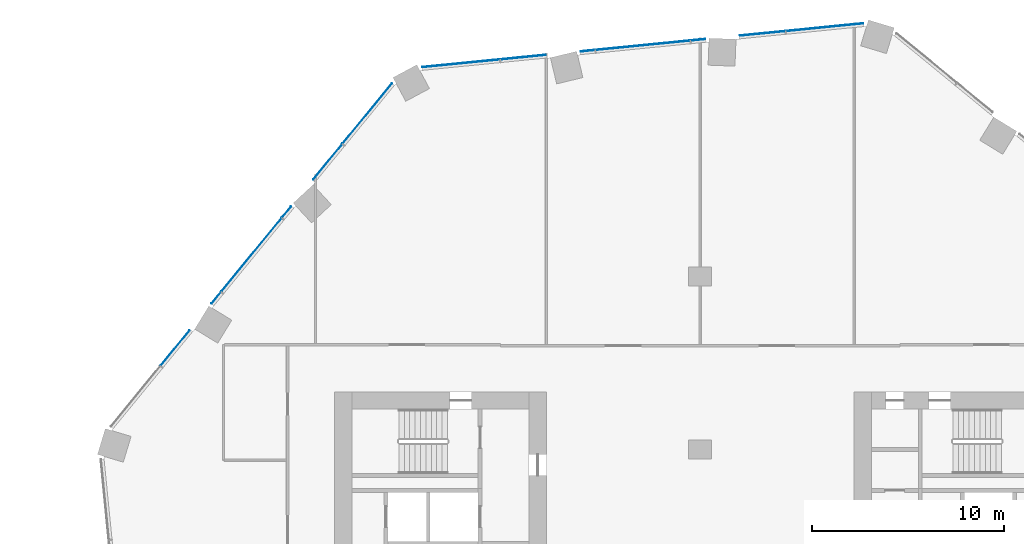
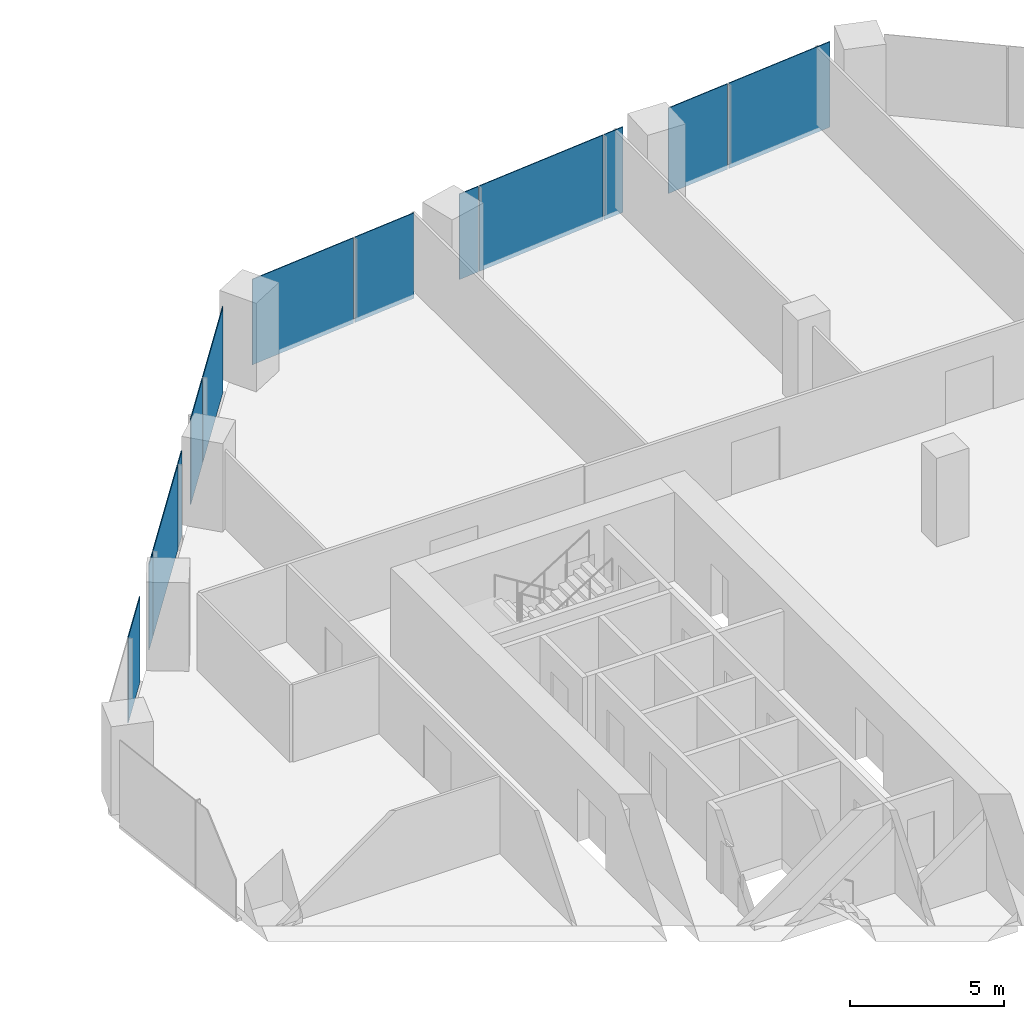
# One storey, part 25 of 34: 13 plates, 2 elements without a shape of their own.
"""IFC4 building model written with IfcOpenShell, lengths in metres."""

import ifcopenshell
import ifcopenshell.guid

model = None  # the IFC model being written
_history = None  # IfcOwnerHistory: only IFC2X3 demands one
_inside = {}  # id of a spatial element -> (the spatial element, [elements in it])
_under = {}  # id of a project, library or spatial element -> (it, [spatial elements below it])
_declared = {}  # id of a project -> (the project, [libraries it declares])
_typed = {}  # id of a type object -> (the type object, [elements of that type])
_made_of = {}  # id of a material, layer set ... -> (it, [elements and type objects made of it])


def new_model(schema):
    """Start an empty IFC model of exactly this schema.

    Asked for "IFC4X3", IfcOpenShell would pick the latest addendum, in which some entities
    have other attributes; the version numbers below select the first issue.
    IFC2X3 requires an IfcOwnerHistory on every rooted entity: one is made here for all.
    """
    global model, _history
    if schema == "IFC4X3":
        model = ifcopenshell.file(schema_version=(4, 3, 0, 0))
    else:
        model = ifcopenshell.file(schema=schema)
    _inside.clear()
    _under.clear()
    _declared.clear()
    _typed.clear()
    _made_of.clear()
    _history = None
    if model.schema == "IFC2X3":
        org = make("IfcOrganization", Name="unknown")
        user = make(
            "IfcPersonAndOrganization",
            ThePerson=make("IfcPerson", FamilyName="unknown"),
            TheOrganization=org,
        )
        app = make(
            "IfcApplication",
            ApplicationDeveloper=org,
            Version="unknown",
            ApplicationFullName="unknown",
            ApplicationIdentifier="unknown",
        )
        _history = make(
            "IfcOwnerHistory",
            OwningUser=user,
            OwningApplication=app,
            ChangeAction="ADDED",
            CreationDate=0,
        )
    return model


def make(cls, **values):
    """One entity of the class cls with the attributes given. An attribute that is None is left unset."""
    return model.create_entity(
        cls, **{name: value for name, value in values.items() if value is not None}
    )


def rooted(cls, **values):
    """An entity with a GlobalId (a new one), such as an element, a storey or a relation."""
    return make(cls, GlobalId=ifcopenshell.guid.new(), OwnerHistory=_history, **values)


def si_unit(unit_type, name, prefix=None):
    """IfcSIUnit, for example si_unit("LENGTHUNIT", "METRE", prefix="MILLI")."""
    return make("IfcSIUnit", UnitType=unit_type, Prefix=prefix, Name=name)


def assignment(units):
    """IfcUnitAssignment: the units of a project."""
    return None if units is None else make("IfcUnitAssignment", Units=units)


def point(xyz):
    """IfcCartesianPoint."""
    return None if xyz is None else make("IfcCartesianPoint", Coordinates=xyz)


def direction(xyz):
    """IfcDirection."""
    return None if xyz is None else make("IfcDirection", DirectionRatios=xyz)


def frame(location, z_axis=None, x_axis=None):
    """IfcAxis2Placement3D, a coordinate frame: its origin and axes. An axis left out is left unset."""
    return make(
        "IfcAxis2Placement3D",
        Location=point(location),
        Axis=direction(z_axis),
        RefDirection=direction(x_axis),
    )


def frame_2d(location, x_axis=None):
    """IfcAxis2Placement2D, a coordinate frame in the plane: its origin and x axis."""
    return make(
        "IfcAxis2Placement2D", Location=point(location), RefDirection=direction(x_axis)
    )


def origin():
    """The frame at (0, 0, 0) with its axes left unset."""
    return frame((0.0, 0.0, 0.0))


def origin_2d():
    """The frame at (0, 0) in the plane with its x axis left unset."""
    return frame_2d((0.0, 0.0))


def place(relative_to, where):
    """IfcLocalPlacement: puts the frame where relative to a parent placement (None: the world)."""
    return make(
        "IfcLocalPlacement", PlacementRelTo=relative_to, RelativePlacement=where
    )


def context(
    kind, dimensions, precision=None, world=None, true_north=None, identifier=None
):
    """IfcGeometricRepresentationContext, for example the 3D "Model" context."""
    return make(
        "IfcGeometricRepresentationContext",
        ContextIdentifier=identifier,
        ContextType=kind,
        CoordinateSpaceDimension=dimensions,
        Precision=precision,
        WorldCoordinateSystem=world,
        TrueNorth=true_north,
    )


def subcontext(parent, identifier, kind, view, scale=None):
    """IfcGeometricRepresentationSubContext, for example "Body" below "Model"."""
    return make(
        "IfcGeometricRepresentationSubContext",
        ContextIdentifier=identifier,
        ContextType=kind,
        ParentContext=parent,
        TargetScale=scale,
        TargetView=view,
    )


def project(units=None, contexts=None):
    """IfcProject with its units and contexts."""
    return rooted(
        "IfcProject",
        Name="project",
        RepresentationContexts=contexts,
        UnitsInContext=assignment(units),
    )


def spatial(cls, under=None, at=None, **own):
    """A site, building, storey or space (cls), placed at a placement, below another one or the project."""
    s = rooted(cls, ObjectPlacement=at, **own)
    if under is not None:
        _under.setdefault(under.id(), (under, []))[1].append(s)
    return s


def profile(cls, at=None, kind="AREA", **sizes):
    """A parametric profile (cls). Its sizes go by their IFC names, for example OverallWidth=200.0."""
    return make(cls, ProfileType=kind, Position=at, **sizes)


def rectangle(**sizes):
    """IfcRectangleProfileDef."""
    return profile("IfcRectangleProfileDef", **sizes)


def extrude(swept, where, along, depth):
    """IfcExtrudedAreaSolid: the profile swept, set in the frame where, extruded along a direction by depth."""
    return make(
        "IfcExtrudedAreaSolid",
        SweptArea=swept,
        Position=where,
        ExtrudedDirection=direction(along),
        Depth=depth,
    )


def shape(context_of_items, identifier, shape_type, items):
    """IfcShapeRepresentation: the items that make up one representation, for example the "Body"."""
    return make(
        "IfcShapeRepresentation",
        ContextOfItems=context_of_items,
        RepresentationIdentifier=identifier,
        RepresentationType=shape_type,
        Items=items,
    )


def material(Name=None, Category=None):
    """IfcMaterial."""
    return make("IfcMaterial", Name=Name, Category=Category)


def layer(
    of_material, thickness, ventilated=None, Name=None, Category=None, Priority=None
):
    """IfcMaterialLayer: one layer of a wall or slab, of a material (None: an air gap)."""
    return make(
        "IfcMaterialLayer",
        Material=of_material,
        LayerThickness=thickness,
        IsVentilated=ventilated,
        Name=Name,
        Category=Category,
        Priority=Priority,
    )


def layer_set(layers, Name=None):
    """IfcMaterialLayerSet."""
    return make("IfcMaterialLayerSet", MaterialLayers=layers, LayerSetName=Name)


def made_of(thing, what):
    """Note that an element or type object is made of a material, layer set ...; save() writes the relation."""
    if what is not None:
        _made_of.setdefault(what.id(), (what, []))[1].append(thing)
    return thing


def type_object(cls, material=None, **own):
    """A type object (cls), such as IfcWallType, which elements share."""
    return made_of(rooted(cls, **own), material)


def element(
    cls,
    number,
    at=None,
    inside=None,
    cuts=None,
    type_object=None,
    material=None,
    context=None,
    identifier="Body",
    shape_type=None,
    held_by="IfcProductDefinitionShape",
    body=None,
    shapes=None,
    **own,
):
    """One element of the class cls, such as IfcWall. Its Tag is "e" and its number.

    at: its placement. inside: the storey or other place that contains it. cuts: it is an
    opening in that element (IfcRelVoidsElement). A single representation is given by context,
    identifier, shape_type and body (its items); several are given by shapes. held_by: the class
    of the entity that holds the representations. save() writes the other relations.
    """
    e = rooted(cls, Tag="e%d" % number, ObjectPlacement=at, **own)
    if body is not None:
        shapes = [shape(context, identifier, shape_type, body)]
    if shapes is not None:
        e.Representation = make(held_by, Representations=shapes)
    if inside is not None:
        _inside.setdefault(inside.id(), (inside, []))[1].append(e)
    if cuts is not None:
        rooted(
            "IfcRelVoidsElement", RelatingBuildingElement=cuts, RelatedOpeningElement=e
        )
    if type_object is not None:
        _typed.setdefault(type_object.id(), (type_object, []))[1].append(e)
    return made_of(e, material)


def aggregate(whole, parts):
    """IfcRelAggregates: a whole, such as a stair, and the parts it consists of."""
    return rooted("IfcRelAggregates", RelatingObject=whole, RelatedObjects=parts)


def save(model, path):
    """Write the relations noted so far, then the file.

    IfcRelAggregates (storeys below a building ...), IfcRelContainedInSpatialStructure (elements
    in a storey), IfcRelDefinesByType, IfcRelAssociatesMaterial and IfcRelDeclares: one each for
    every whole, place, type object, material and project.
    """
    for whole, parts in _under.values():
        aggregate(whole, parts)
    for where, things in _inside.values():
        rooted(
            "IfcRelContainedInSpatialStructure",
            RelatedElements=things,
            RelatingStructure=where,
        )
    for kind, things in _typed.values():
        rooted("IfcRelDefinesByType", RelatedObjects=things, RelatingType=kind)
    for what, things in _made_of.values():
        rooted("IfcRelAssociatesMaterial", RelatedObjects=things, RelatingMaterial=what)
    for by, libraries in _declared.values():
        rooted("IfcRelDeclares", RelatingContext=by, RelatedDefinitions=libraries)
    model.write(path)


model = new_model("IFC4")

# Units and contexts
model_context = context("Model", 3, precision=1e-05, world=origin(), true_north=direction((0.0, 1.0)))
body_context = subcontext(model_context, "Body", "Model", "MODEL_VIEW")
ifc_project = project(units=[si_unit("LENGTHUNIT", "METRE"), si_unit("AREAUNIT", "SQUARE_METRE"), si_unit("VOLUMEUNIT", "CUBIC_METRE"), si_unit("PLANEANGLEUNIT", "RADIAN"), si_unit("MASSUNIT", "GRAM", prefix="KILO")], contexts=[model_context])

# Site, building, storey
site_placement = place(None, origin())
site = spatial("IfcSite", under=ifc_project, at=site_placement, CompositionType="ELEMENT")
building_placement = place(site_placement, origin())
building = spatial("IfcBuilding", under=site, at=building_placement, Name="Orlundy Tower", CompositionType="ELEMENT")
storey_placement = place(building_placement, frame((0.0, 0.0, 47.800048828125)))
storey = spatial("IfcBuildingStorey", under=building, at=storey_placement, Name="L10", CompositionType="ELEMENT", Elevation=47.800048828125)

# Curtain wall, plates
ifc_material_1 = material(Name="Aluminium bronze anodised", Category="aluminium")
curtain_wall_type = type_object("IfcCurtainWallType", Name="CW1 wall", PredefinedType="NOTDEFINED", material=ifc_material_1)
curtain_wall_1_placement = place(storey_placement, origin())
curtain_wall_1 = element("IfcCurtainWall", 1, at=curtain_wall_1_placement, inside=storey, type_object=curtain_wall_type, Name="CW1 run 02", PredefinedType="NOTDEFINED")
ifc_material_2 = material(Name="Tinted glass", Category="glass")
ifc_layer = layer(ifc_material_2, 0.031982421875)
ifc_layer_set = layer_set([ifc_layer], Name="CW1 glass panel 32")
plate_type = type_object("IfcPlateType", Name="CW1 glass panel 32", PredefinedType="CURTAIN_PANEL", material=ifc_layer_set)
plate_1_placement = place(storey_placement, frame((-27.29345703125, 14.28271484375, -0.300048828125), z_axis=(0.0, 0.0, 1.0), x_axis=(0.633818264458, 0.773482002143, 0.0)))
plate_1 = element("IfcPlate", 2, at=plate_1_placement, type_object=plate_type, Name="CW1 panel", PredefinedType="CURTAIN_PANEL", context=body_context, shape_type="SweptSolid", body=[
    extrude(rectangle(XDim=2.35791015625, YDim=0.031982421875, at=origin_2d()), origin(), (0.0, 0.0, 1.0), 3.3798828125),
])
plate_2_placement = place(storey_placement, frame((-25.158203125, 16.888427734375, -0.300048828125), z_axis=(0.0, 0.0, 1.0), x_axis=(0.633818264458, 0.773482002143, 0.0)))
plate_2 = element("IfcPlate", 3, at=plate_2_placement, type_object=plate_type, Name="CW1 panel", PredefinedType="CURTAIN_PANEL", context=body_context, shape_type="SweptSolid", body=[
    extrude(rectangle(XDim=0.74560546875, YDim=0.031982421875, at=origin_2d()), origin(), (0.0, 0.0, 1.0), 3.3798828125),
])
plate_3_placement = place(storey_placement, frame((-23.330810546875, 19.118408203125, -0.300048828125), z_axis=(0.0, 0.0, 1.0), x_axis=(0.633818264458, 0.773482002143, 0.0)))
plate_3 = element("IfcPlate", 4, at=plate_3_placement, type_object=plate_type, Name="CW1 panel", PredefinedType="CURTAIN_PANEL", context=body_context, shape_type="SweptSolid", body=[
    extrude(rectangle(XDim=4.92041015625, YDim=0.031982421875, at=origin_2d()), origin(), (0.0, 0.0, 1.0), 3.3798828125),
])
plate_4_placement = place(storey_placement, frame((-21.50341796875, 21.3486328125, -0.300048828125), z_axis=(0.0, 0.0, 1.0), x_axis=(0.633818264458, 0.773482002143, 0.0)))
plate_4 = element("IfcPlate", 5, at=plate_4_placement, type_object=plate_type, Name="CW1 panel", PredefinedType="CURTAIN_PANEL", context=body_context, shape_type="SweptSolid", body=[
    extrude(rectangle(XDim=0.74609375, YDim=0.031982421875, at=origin_2d()), origin(), (0.0, 0.0, 1.0), 3.3798828125),
])
plate_5_placement = place(storey_placement, frame((-19.3681640625, 23.954345703125, -0.300048828125), z_axis=(0.0, 0.0, 1.0), x_axis=(0.633818264458, 0.773482002143, 0.0)))
plate_5 = element("IfcPlate", 6, at=plate_5_placement, type_object=plate_type, Name="CW1 panel", PredefinedType="CURTAIN_PANEL", context=body_context, shape_type="SweptSolid", body=[
    extrude(rectangle(XDim=2.357421875, YDim=0.031982421875, at=origin_2d()), origin(), (0.0, 0.0, 1.0), 3.3798828125),
])
plate_6_placement = place(storey_placement, frame((-17.30908203125, 26.467041015625, -0.300048828125), z_axis=(0.0, 0.0, 1.0), x_axis=(0.633818264458, 0.773482002143, 0.0)))
plate_6 = element("IfcPlate", 7, at=plate_6_placement, type_object=plate_type, Name="CW1 panel", PredefinedType="CURTAIN_PANEL", context=body_context, shape_type="SweptSolid", body=[
    extrude(rectangle(XDim=4.0400390625, YDim=0.031982421875, at=origin_2d()), origin(), (0.0, 0.0, 1.0), 3.3798828125),
])
aggregate(curtain_wall_1, [plate_1, plate_2, plate_3, plate_4, plate_5, plate_6])

curtain_wall_2_placement = place(storey_placement, origin())
curtain_wall_2 = element("IfcCurtainWall", 8, at=curtain_wall_2_placement, inside=storey, type_object=curtain_wall_type, Name="CW1 run 03", PredefinedType="NOTDEFINED")
plate_7_placement = place(storey_placement, frame((-12.432373046875, 29.078125, -0.300048828125), z_axis=(0.0, 0.0, 1.0), x_axis=(0.995112991912, 0.098742763424, 0.0)))
plate_7 = element("IfcPlate", 9, at=plate_7_placement, type_object=plate_type, Name="CW1 panel", PredefinedType="CURTAIN_PANEL", context=body_context, shape_type="SweptSolid", body=[
    extrude(rectangle(XDim=4.03857421875, YDim=0.031982421875, at=origin_2d()), origin(), (0.0, 0.0, 1.0), 3.3798828125),
])
plate_8_placement = place(storey_placement, frame((-9.19970703125, 29.39892578125, -0.300048828125), z_axis=(0.0, 0.0, 1.0), x_axis=(0.995112991912, 0.098742763424, 0.0)))
plate_8 = element("IfcPlate", 10, at=plate_8_placement, type_object=plate_type, Name="CW1 panel", PredefinedType="CURTAIN_PANEL", context=body_context, shape_type="SweptSolid", body=[
    extrude(rectangle(XDim=2.3583984375, YDim=0.031982421875, at=origin_2d()), origin(), (0.0, 0.0, 1.0), 3.3798828125),
])
plate_9_placement = place(storey_placement, frame((-5.847412109375, 29.7314453125, -0.300048828125), z_axis=(0.0, 0.0, 1.0), x_axis=(0.995112991912, 0.098742763424, 0.0)))
plate_9 = element("IfcPlate", 11, at=plate_9_placement, type_object=plate_type, Name="CW1 panel", PredefinedType="CURTAIN_PANEL", context=body_context, shape_type="SweptSolid", body=[
    extrude(rectangle(XDim=0.7451171875, YDim=0.031982421875, at=origin_2d()), origin(), (0.0, 0.0, 1.0), 3.3798828125),
])
plate_10_placement = place(storey_placement, frame((-2.978759765625, 30.01611328125, -0.300048828125), z_axis=(0.0, 0.0, 1.0), x_axis=(0.995112991912, 0.098742763424, 0.0)))
plate_10 = element("IfcPlate", 12, at=plate_10_placement, type_object=plate_type, Name="CW1 panel", PredefinedType="CURTAIN_PANEL", context=body_context, shape_type="SweptSolid", body=[
    extrude(rectangle(XDim=4.92041015625, YDim=0.031982421875, at=origin_2d()), origin(), (0.0, 0.0, 1.0), 3.3798828125),
])
plate_11_placement = place(storey_placement, frame((-0.109619140625, 30.30078125, -0.300048828125), z_axis=(0.0, 0.0, 1.0), x_axis=(0.995112991912, 0.098742763424, 0.0)))
plate_11 = element("IfcPlate", 13, at=plate_11_placement, type_object=plate_type, Name="CW1 panel", PredefinedType="CURTAIN_PANEL", context=body_context, shape_type="SweptSolid", body=[
    extrude(rectangle(XDim=0.745849609375, YDim=0.031982421875, at=origin_2d()), origin(), (0.0, 0.0, 1.0), 3.3798828125),
])
plate_12_placement = place(storey_placement, frame((3.24267578125, 30.633544921875, -0.300048828125), z_axis=(0.0, 0.0, 1.0), x_axis=(0.995112991912, 0.098742763424, 0.0)))
plate_12 = element("IfcPlate", 14, at=plate_12_placement, type_object=plate_type, Name="CW1 panel", PredefinedType="CURTAIN_PANEL", context=body_context, shape_type="SweptSolid", body=[
    extrude(rectangle(XDim=2.357666015625, YDim=0.031982421875, at=origin_2d()), origin(), (0.0, 0.0, 1.0), 3.3798828125),
])
plate_13_placement = place(storey_placement, frame((6.47509765625, 30.954345703125, -0.300048828125), z_axis=(0.0, 0.0, 1.0), x_axis=(0.995112991912, 0.098742763424, 0.0)))
plate_13 = element("IfcPlate", 15, at=plate_13_placement, type_object=plate_type, Name="CW1 panel", PredefinedType="CURTAIN_PANEL", context=body_context, shape_type="SweptSolid", body=[
    extrude(rectangle(XDim=4.0390625, YDim=0.031982421875, at=origin_2d()), origin(), (0.0, 0.0, 1.0), 3.3798828125),
])
aggregate(curtain_wall_2, [plate_7, plate_8, plate_9, plate_10, plate_11, plate_12, plate_13])

save(model, "model.ifc")
